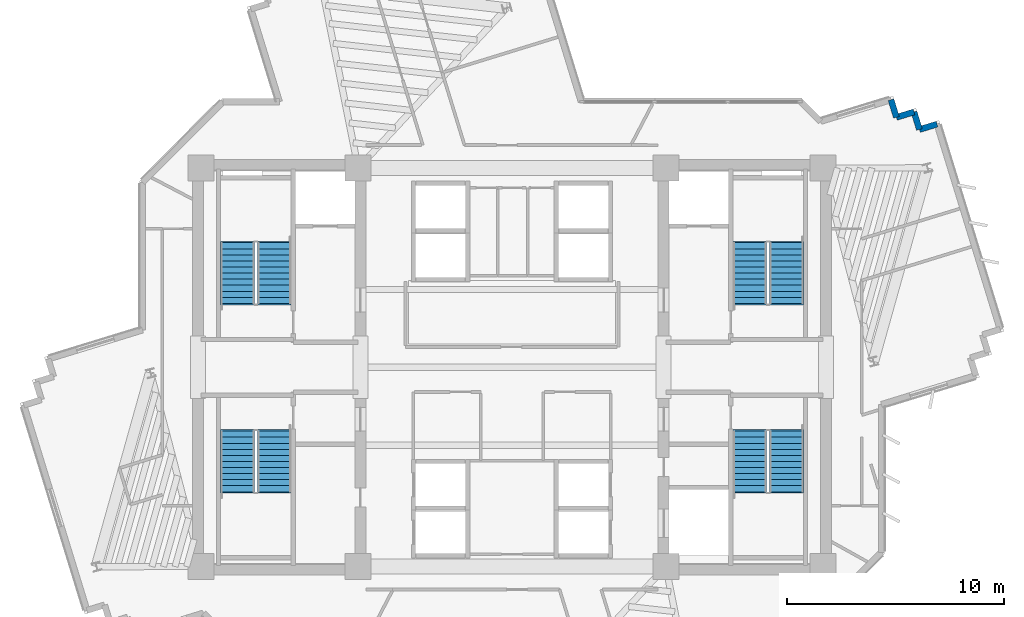
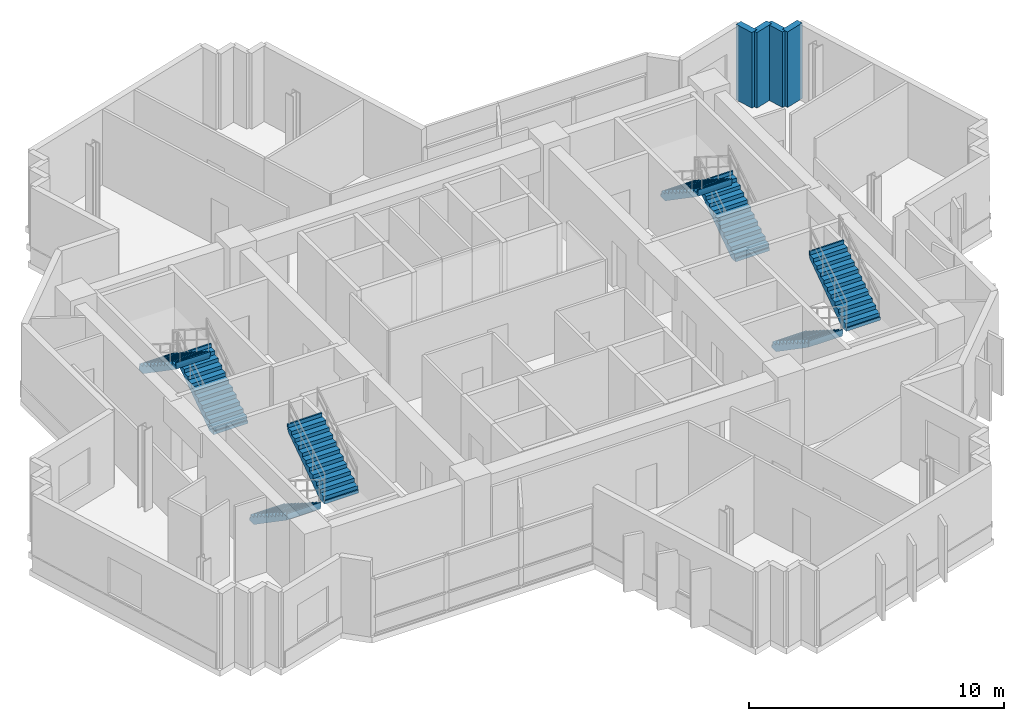
# One storey, part 9 of 13: 8 stair flights, 4 walls, 4 elements without a shape of their own.
"""IFC4 building model written with IfcOpenShell, lengths in metres."""

from ifc_helpers import new_model, si_unit, direction, frame, frame_2d, origin, place, context, subcontext, project, spatial, polyline, rectangle, outline, extrude, source, transform, mapped, material, layer, layer_set, type_object, element, aggregate, save


model = new_model("IFC4")

# Units and contexts
model_context = context("Model", 3, precision=1e-05, world=origin(), true_north=direction((0.0, 1.0)))
body_context = subcontext(model_context, "Body", "Model", "MODEL_VIEW")
ifc_project = project(units=[si_unit("LENGTHUNIT", "METRE"), si_unit("AREAUNIT", "SQUARE_METRE"), si_unit("VOLUMEUNIT", "CUBIC_METRE"), si_unit("PLANEANGLEUNIT", "RADIAN"), si_unit("MASSUNIT", "GRAM", prefix="KILO")], contexts=[model_context])

# Site, building, storey
site_placement = place(None, origin())
site = spatial("IfcSite", under=ifc_project, at=site_placement, CompositionType="ELEMENT")
building_placement = place(site_placement, origin())
building = spatial("IfcBuilding", under=site, at=building_placement, Name="Zahravan Cultural Tower", CompositionType="ELEMENT")
storey_placement = place(building_placement, frame((0.0, 0.0, 217.5)))
storey = spatial("IfcBuildingStorey", under=building, at=storey_placement, Name="L51", CompositionType="ELEMENT", Elevation=217.5)

# Walls
ifc_material_1 = material(Name="Precast concrete C40/50", Category="concrete")
ifc_layer = layer(ifc_material_1, 0.280029296875)
ifc_layer_set = layer_set([ifc_layer], Name="Precast concrete C40/50")
wall_type = type_object("IfcWallType", Name="EW-TC-280", PredefinedType="SOLIDWALL", material=ifc_layer_set)
shared_shape = source(origin(), body_context, "Body", "SweptSolid", [
    extrude(rectangle(XDim=0.85009765625, YDim=0.280029296875, at=frame_2d((0.425048828125, 0.0))), origin(), (0.0, 0.0, 1.0), 3.6201171875),
])
for number, where, z_axis, x_axis, name in (
    (1, (53.501708984375, 39.352294921875, 0.0), (0.0, 0.0, 1.0), (0.293823460726, -0.955859704102, 0.0), "L51 Exterior Masonry Frame Wall 02"),
    (2, (53.75146484375, 38.539794921875, 0.0), (0.0, 0.0, 1.0), (0.955779008722, 0.294085848838, 0.0), "L51 Exterior Masonry Frame Wall 03"),
    (3, (54.56396484375, 38.789794921875, 0.0), (0.0, 0.0, 1.0), (0.294085848838, -0.955779008722, 0.0), "L51 Exterior Masonry Frame Wall 04"),
    (4, (54.81396484375, 37.977294921875, 0.0), (0.0, 0.0, 1.0), (0.955779008722, 0.294085848838, 0.0), "L51 Exterior Masonry Frame Wall 05"),
):
    element("IfcWall", number, at=place(storey_placement, frame(where, z_axis=z_axis, x_axis=x_axis)), inside=storey, type_object=wall_type, Name=name, PredefinedType="SOLIDWALL", context=body_context, shape_type="MappedRepresentation", body=[
        mapped(shared_shape, transform((0.0, 0.0, 0.0), x_axis=(1.0, 0.0, 0.0), y_axis=(0.0, 1.0, 0.0), z_axis=(0.0, 0.0, 1.0), scale=1.0)),
    ])

# Stair, stair flights
ifc_material_2 = material(Name="Concrete C45/55", Category="concrete")
stair_type = type_object("IfcStairType", Name="STR-DL-1550-390", PredefinedType="HALF_TURN_STAIR", material=ifc_material_2)
stair_1_placement = place(storey_placement, origin())
stair_1 = element("IfcStair", 5, at=stair_1_placement, inside=storey, type_object=stair_type, Name="L51 West Core North Exit Stair ST-W1", PredefinedType="HALF_TURN_STAIR")
stair_flight_type = type_object("IfcStairFlightType", Name="FLG-DL-1550-390", PredefinedType="STRAIGHT", material=ifc_material_2)
stair_flight_1_placement = place(storey_placement, frame((25.02490234375, 29.949951171875, 0.0), z_axis=(0.0, 0.0, 1.0), x_axis=(0.0, 1.0, 0.0)))
stair_flight_1 = element("IfcStairFlight", 6, at=stair_flight_1_placement, type_object=stair_flight_type, Name="ST-W1 flight 1", NumberOfRisers=11, NumberOfTreads=10, PredefinedType="STRAIGHT", RiserHeight=0.177272727, TreadLength=0.28, context=body_context, shape_type="SweptSolid", body=[
    extrude(outline(polyline([(-0.06494140625, -0.139892578125), (-0.06494140625, 0.0), (0.0, 0.0), (0.0, 0.17724609375), (0.280029296875, 0.17724609375), (0.280029296875, 0.3544921875), (0.56005859375, 0.3544921875), (0.56005859375, 0.53173828125), (0.840087890625, 0.53173828125), (0.840087890625, 0.708984375), (1.1201171875, 0.708984375), (1.1201171875, 0.886474609375), (1.39990234375, 0.886474609375), (1.39990234375, 1.063720703125), (1.679931640625, 1.063720703125), (1.679931640625, 1.240966796875), (1.9599609375, 1.240966796875), (1.9599609375, 1.418212890625), (2.239990234375, 1.418212890625), (2.239990234375, 1.595458984375), (2.52001953125, 1.595458984375), (2.52001953125, 1.772705078125), (2.800048828125, 1.772705078125), (2.800048828125, 1.949951171875), (2.864990234375, 1.949951171875), (2.864990234375, 1.800048828125), (2.800048828125, 1.59521484375), (0.2802734375, -0.139892578125), (-0.06494140625, -0.139892578125)])), frame((0.0, 0.77490234375, 0.0), z_axis=(0.0, -1.0, 0.0), x_axis=(1.0, 0.0, 0.0)), (0.0, 0.0, 1.0), 1.550048828125),
])
stair_flight_2_placement = place(storey_placement, frame((23.324951171875, 32.75, 1.949951171875), z_axis=(0.0, 0.0, 1.0), x_axis=(0.0, -1.0, 0.0)))
stair_flight_2 = element("IfcStairFlight", 7, at=stair_flight_2_placement, type_object=stair_flight_type, Name="ST-W1 flight 2", NumberOfRisers=11, NumberOfTreads=10, PredefinedType="STRAIGHT", RiserHeight=0.177272727, TreadLength=0.28, context=body_context, shape_type="SweptSolid", body=[
    extrude(outline(polyline([(-0.06494140625, -0.139892578125), (-0.06494140625, 0.0), (0.0, 0.0), (0.0, 0.17724609375), (0.280029296875, 0.17724609375), (0.280029296875, 0.3544921875), (0.56005859375, 0.3544921875), (0.56005859375, 0.53173828125), (0.840087890625, 0.53173828125), (0.840087890625, 0.708984375), (1.1201171875, 0.708984375), (1.1201171875, 0.886474609375), (1.39990234375, 0.886474609375), (1.39990234375, 1.063720703125), (1.679931640625, 1.063720703125), (1.679931640625, 1.240966796875), (1.9599609375, 1.240966796875), (1.9599609375, 1.418212890625), (2.239990234375, 1.418212890625), (2.239990234375, 1.595458984375), (2.52001953125, 1.595458984375), (2.52001953125, 1.772705078125), (2.800048828125, 1.772705078125), (2.800048828125, 1.949951171875), (2.864990234375, 1.949951171875), (2.864990234375, 1.800048828125), (2.800048828125, 1.59521484375), (0.2802734375, -0.139892578125), (-0.06494140625, -0.139892578125)])), frame((0.0, 0.77490234375, 0.0), z_axis=(0.0, -1.0, 0.0), x_axis=(1.0, 0.0, 0.0)), (0.0, 0.0, 1.0), 1.550048828125),
])
aggregate(stair_1, [stair_flight_1, stair_flight_2])

stair_2_placement = place(storey_placement, origin())
stair_2 = element("IfcStair", 8, at=stair_2_placement, inside=storey, type_object=stair_type, Name="L51 West Core South Exit Stair ST-W2", PredefinedType="HALF_TURN_STAIR")
stair_flight_3_placement = place(storey_placement, frame((23.324951171875, 24.050048828125, 0.0), z_axis=(0.0, 0.0, 1.0), x_axis=(0.0, -1.0, 0.0)))
stair_flight_3 = element("IfcStairFlight", 9, at=stair_flight_3_placement, type_object=stair_flight_type, Name="ST-W2 flight 1", NumberOfRisers=11, NumberOfTreads=10, PredefinedType="STRAIGHT", RiserHeight=0.177272727, TreadLength=0.28, context=body_context, shape_type="SweptSolid", body=[
    extrude(outline(polyline([(-0.06494140625, -0.139892578125), (-0.06494140625, 0.0), (0.0, 0.0), (0.0, 0.17724609375), (0.280029296875, 0.17724609375), (0.280029296875, 0.3544921875), (0.56005859375, 0.3544921875), (0.56005859375, 0.53173828125), (0.840087890625, 0.53173828125), (0.840087890625, 0.708984375), (1.1201171875, 0.708984375), (1.1201171875, 0.886474609375), (1.39990234375, 0.886474609375), (1.39990234375, 1.063720703125), (1.679931640625, 1.063720703125), (1.679931640625, 1.240966796875), (1.9599609375, 1.240966796875), (1.9599609375, 1.418212890625), (2.239990234375, 1.418212890625), (2.239990234375, 1.595458984375), (2.52001953125, 1.595458984375), (2.52001953125, 1.772705078125), (2.800048828125, 1.772705078125), (2.800048828125, 1.949951171875), (2.864990234375, 1.949951171875), (2.864990234375, 1.800048828125), (2.800048828125, 1.59521484375), (0.2802734375, -0.139892578125), (-0.06494140625, -0.139892578125)])), frame((0.0, 0.77490234375, 0.0), z_axis=(0.0, -1.0, 0.0), x_axis=(1.0, 0.0, 0.0)), (0.0, 0.0, 1.0), 1.550048828125),
])
stair_flight_4_placement = place(storey_placement, frame((25.02490234375, 21.25, 1.949951171875), z_axis=(0.0, 0.0, 1.0), x_axis=(0.0, 1.0, 0.0)))
stair_flight_4 = element("IfcStairFlight", 10, at=stair_flight_4_placement, type_object=stair_flight_type, Name="ST-W2 flight 2", NumberOfRisers=11, NumberOfTreads=10, PredefinedType="STRAIGHT", RiserHeight=0.177272727, TreadLength=0.28, context=body_context, shape_type="SweptSolid", body=[
    extrude(outline(polyline([(-0.06494140625, -0.139892578125), (-0.06494140625, 0.0), (0.0, 0.0), (0.0, 0.17724609375), (0.280029296875, 0.17724609375), (0.280029296875, 0.3544921875), (0.56005859375, 0.3544921875), (0.56005859375, 0.53173828125), (0.840087890625, 0.53173828125), (0.840087890625, 0.708984375), (1.1201171875, 0.708984375), (1.1201171875, 0.886474609375), (1.39990234375, 0.886474609375), (1.39990234375, 1.063720703125), (1.679931640625, 1.063720703125), (1.679931640625, 1.240966796875), (1.9599609375, 1.240966796875), (1.9599609375, 1.418212890625), (2.239990234375, 1.418212890625), (2.239990234375, 1.595458984375), (2.52001953125, 1.595458984375), (2.52001953125, 1.772705078125), (2.800048828125, 1.772705078125), (2.800048828125, 1.949951171875), (2.864990234375, 1.949951171875), (2.864990234375, 1.800048828125), (2.800048828125, 1.59521484375), (0.2802734375, -0.139892578125), (-0.06494140625, -0.139892578125)])), frame((0.0, 0.77490234375, 0.0), z_axis=(0.0, -1.0, 0.0), x_axis=(1.0, 0.0, 0.0)), (0.0, 0.0, 1.0), 1.550048828125),
])
aggregate(stair_2, [stair_flight_3, stair_flight_4])

stair_3_placement = place(storey_placement, origin())
stair_3 = element("IfcStair", 11, at=stair_3_placement, inside=storey, type_object=stair_type, Name="L51 East Core North Exit Stair ST-E1", PredefinedType="HALF_TURN_STAIR")
stair_flight_5_placement = place(storey_placement, frame((48.675048828125, 29.949951171875, 0.0), z_axis=(0.0, 0.0, 1.0), x_axis=(0.0, 1.0, 0.0)))
stair_flight_5 = element("IfcStairFlight", 12, at=stair_flight_5_placement, type_object=stair_flight_type, Name="ST-E1 flight 1", NumberOfRisers=11, NumberOfTreads=10, PredefinedType="STRAIGHT", RiserHeight=0.177272727, TreadLength=0.28, context=body_context, shape_type="SweptSolid", body=[
    extrude(outline(polyline([(-0.06494140625, -0.139892578125), (-0.06494140625, 0.0), (0.0, 0.0), (0.0, 0.17724609375), (0.280029296875, 0.17724609375), (0.280029296875, 0.3544921875), (0.56005859375, 0.3544921875), (0.56005859375, 0.53173828125), (0.840087890625, 0.53173828125), (0.840087890625, 0.708984375), (1.1201171875, 0.708984375), (1.1201171875, 0.886474609375), (1.39990234375, 0.886474609375), (1.39990234375, 1.063720703125), (1.679931640625, 1.063720703125), (1.679931640625, 1.240966796875), (1.9599609375, 1.240966796875), (1.9599609375, 1.418212890625), (2.239990234375, 1.418212890625), (2.239990234375, 1.595458984375), (2.52001953125, 1.595458984375), (2.52001953125, 1.772705078125), (2.800048828125, 1.772705078125), (2.800048828125, 1.949951171875), (2.864990234375, 1.949951171875), (2.864990234375, 1.800048828125), (2.800048828125, 1.59521484375), (0.2802734375, -0.139892578125), (-0.06494140625, -0.139892578125)])), frame((0.0, 0.77490234375, 0.0), z_axis=(0.0, -1.0, 0.0), x_axis=(1.0, 0.0, 0.0)), (0.0, 0.0, 1.0), 1.550048828125),
])
stair_flight_6_placement = place(storey_placement, frame((46.97509765625, 32.75, 1.949951171875), z_axis=(0.0, 0.0, 1.0), x_axis=(0.0, -1.0, 0.0)))
stair_flight_6 = element("IfcStairFlight", 13, at=stair_flight_6_placement, type_object=stair_flight_type, Name="ST-E1 flight 2", NumberOfRisers=11, NumberOfTreads=10, PredefinedType="STRAIGHT", RiserHeight=0.177272727, TreadLength=0.28, context=body_context, shape_type="SweptSolid", body=[
    extrude(outline(polyline([(-0.06494140625, -0.139892578125), (-0.06494140625, 0.0), (0.0, 0.0), (0.0, 0.17724609375), (0.280029296875, 0.17724609375), (0.280029296875, 0.3544921875), (0.56005859375, 0.3544921875), (0.56005859375, 0.53173828125), (0.840087890625, 0.53173828125), (0.840087890625, 0.708984375), (1.1201171875, 0.708984375), (1.1201171875, 0.886474609375), (1.39990234375, 0.886474609375), (1.39990234375, 1.063720703125), (1.679931640625, 1.063720703125), (1.679931640625, 1.240966796875), (1.9599609375, 1.240966796875), (1.9599609375, 1.418212890625), (2.239990234375, 1.418212890625), (2.239990234375, 1.595458984375), (2.52001953125, 1.595458984375), (2.52001953125, 1.772705078125), (2.800048828125, 1.772705078125), (2.800048828125, 1.949951171875), (2.864990234375, 1.949951171875), (2.864990234375, 1.800048828125), (2.800048828125, 1.59521484375), (0.2802734375, -0.139892578125), (-0.06494140625, -0.139892578125)])), frame((0.0, 0.77490234375, 0.0), z_axis=(0.0, -1.0, 0.0), x_axis=(1.0, 0.0, 0.0)), (0.0, 0.0, 1.0), 1.550048828125),
])
aggregate(stair_3, [stair_flight_5, stair_flight_6])

stair_4_placement = place(storey_placement, origin())
stair_4 = element("IfcStair", 14, at=stair_4_placement, inside=storey, type_object=stair_type, Name="L51 East Core South Exit Stair ST-E2", PredefinedType="HALF_TURN_STAIR")
stair_flight_7_placement = place(storey_placement, frame((46.97509765625, 24.050048828125, 0.0), z_axis=(0.0, 0.0, 1.0), x_axis=(0.0, -1.0, 0.0)))
stair_flight_7 = element("IfcStairFlight", 15, at=stair_flight_7_placement, type_object=stair_flight_type, Name="ST-E2 flight 1", NumberOfRisers=11, NumberOfTreads=10, PredefinedType="STRAIGHT", RiserHeight=0.177272727, TreadLength=0.28, context=body_context, shape_type="SweptSolid", body=[
    extrude(outline(polyline([(-0.06494140625, -0.139892578125), (-0.06494140625, 0.0), (0.0, 0.0), (0.0, 0.17724609375), (0.280029296875, 0.17724609375), (0.280029296875, 0.3544921875), (0.56005859375, 0.3544921875), (0.56005859375, 0.53173828125), (0.840087890625, 0.53173828125), (0.840087890625, 0.708984375), (1.1201171875, 0.708984375), (1.1201171875, 0.886474609375), (1.39990234375, 0.886474609375), (1.39990234375, 1.063720703125), (1.679931640625, 1.063720703125), (1.679931640625, 1.240966796875), (1.9599609375, 1.240966796875), (1.9599609375, 1.418212890625), (2.239990234375, 1.418212890625), (2.239990234375, 1.595458984375), (2.52001953125, 1.595458984375), (2.52001953125, 1.772705078125), (2.800048828125, 1.772705078125), (2.800048828125, 1.949951171875), (2.864990234375, 1.949951171875), (2.864990234375, 1.800048828125), (2.800048828125, 1.59521484375), (0.2802734375, -0.139892578125), (-0.06494140625, -0.139892578125)])), frame((0.0, 0.77490234375, 0.0), z_axis=(0.0, -1.0, 0.0), x_axis=(1.0, 0.0, 0.0)), (0.0, 0.0, 1.0), 1.550048828125),
])
stair_flight_8_placement = place(storey_placement, frame((48.675048828125, 21.25, 1.949951171875), z_axis=(0.0, 0.0, 1.0), x_axis=(0.0, 1.0, 0.0)))
stair_flight_8 = element("IfcStairFlight", 16, at=stair_flight_8_placement, type_object=stair_flight_type, Name="ST-E2 flight 2", NumberOfRisers=11, NumberOfTreads=10, PredefinedType="STRAIGHT", RiserHeight=0.177272727, TreadLength=0.28, context=body_context, shape_type="SweptSolid", body=[
    extrude(outline(polyline([(-0.06494140625, -0.139892578125), (-0.06494140625, 0.0), (0.0, 0.0), (0.0, 0.17724609375), (0.280029296875, 0.17724609375), (0.280029296875, 0.3544921875), (0.56005859375, 0.3544921875), (0.56005859375, 0.53173828125), (0.840087890625, 0.53173828125), (0.840087890625, 0.708984375), (1.1201171875, 0.708984375), (1.1201171875, 0.886474609375), (1.39990234375, 0.886474609375), (1.39990234375, 1.063720703125), (1.679931640625, 1.063720703125), (1.679931640625, 1.240966796875), (1.9599609375, 1.240966796875), (1.9599609375, 1.418212890625), (2.239990234375, 1.418212890625), (2.239990234375, 1.595458984375), (2.52001953125, 1.595458984375), (2.52001953125, 1.772705078125), (2.800048828125, 1.772705078125), (2.800048828125, 1.949951171875), (2.864990234375, 1.949951171875), (2.864990234375, 1.800048828125), (2.800048828125, 1.59521484375), (0.2802734375, -0.139892578125), (-0.06494140625, -0.139892578125)])), frame((0.0, 0.77490234375, 0.0), z_axis=(0.0, -1.0, 0.0), x_axis=(1.0, 0.0, 0.0)), (0.0, 0.0, 1.0), 1.550048828125),
])
aggregate(stair_4, [stair_flight_7, stair_flight_8])

save(model, "model.ifc")
